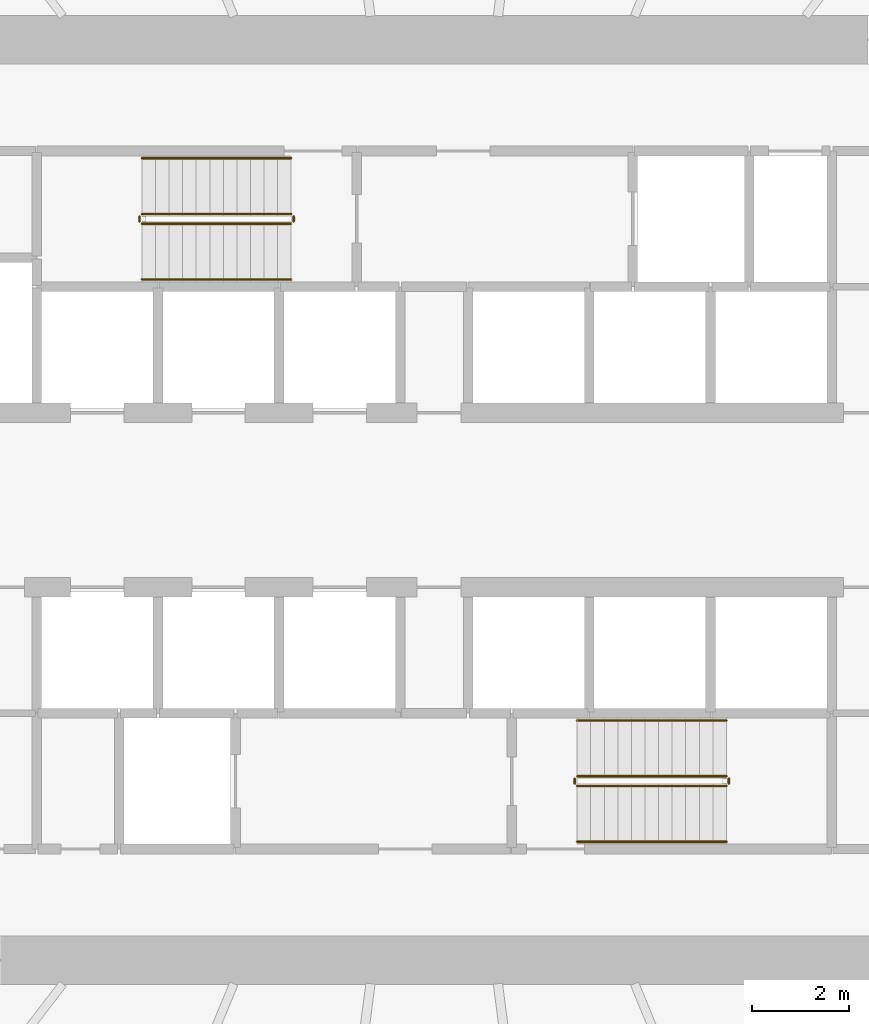
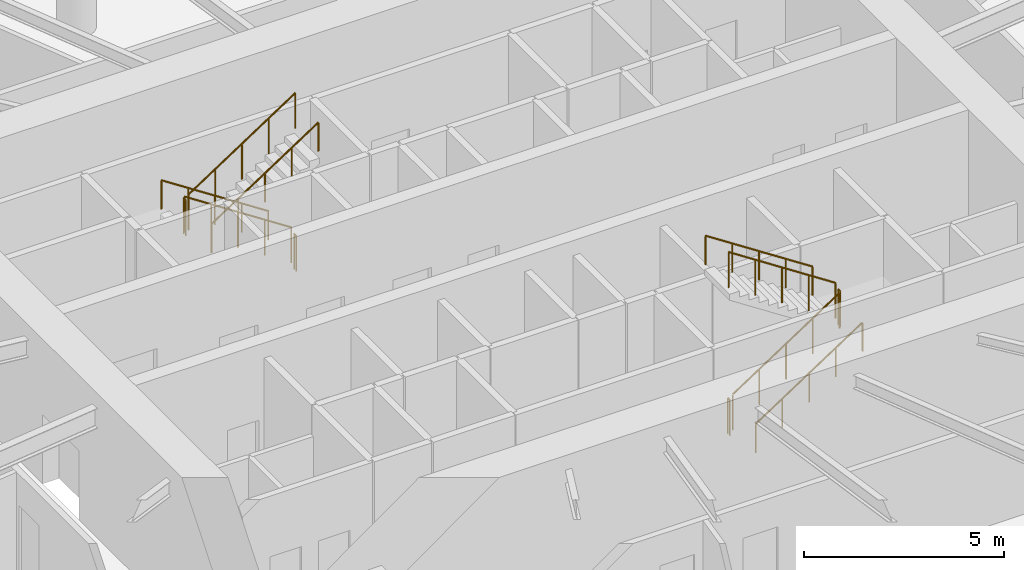
# One storey, part 17 of 18: 12 railings.
"""IFC4 building model written with IfcOpenShell, lengths in metres."""

from ifc_helpers import new_model, si_unit, direction, frame, origin, origin_2d, place, context, subcontext, project, spatial, circle, extrude, material, type_object, element, save


model = new_model("IFC4")

# Units and contexts
model_context = context("Model", 3, precision=1e-05, world=origin(), true_north=direction((0.0, 1.0)))
body_context = subcontext(model_context, "Body", "Model", "MODEL_VIEW")
ifc_project = project(units=[si_unit("LENGTHUNIT", "METRE"), si_unit("AREAUNIT", "SQUARE_METRE"), si_unit("VOLUMEUNIT", "CUBIC_METRE"), si_unit("PLANEANGLEUNIT", "RADIAN"), si_unit("MASSUNIT", "GRAM", prefix="KILO")], contexts=[model_context])

# Site, building, storey
site_placement = place(None, origin())
site = spatial("IfcSite", under=ifc_project, at=site_placement, CompositionType="ELEMENT")
building_placement = place(site_placement, origin())
building = spatial("IfcBuilding", under=site, at=building_placement, Name="Spindrift Exchange Tower", CompositionType="ELEMENT")
storey_placement = place(building_placement, frame((0.0, 0.0, 40.199951171875)))
storey = spatial("IfcBuildingStorey", under=building, at=storey_placement, Name="L09", CompositionType="ELEMENT", Elevation=40.199951171875)

# Railings
ifc_material_1 = material(Name="Steel balustrade", Category="steel")
railing_type_1 = type_object("IfcRailingType", Name="RL-STAIR-GUARD", PredefinedType="GUARDRAIL", material=ifc_material_1)
railing_1_placement = place(storey_placement, frame((49.050048828125, 53.89990234375, 0.183349609375)))
element("IfcRailing", 1, at=railing_1_placement, inside=storey, type_object=railing_type_1, Name="L09 ST1 stair guard 1", PredefinedType="GUARDRAIL", context=body_context, shape_type="SweptSolid", body=[
    extrude(circle(Radius=0.02392578125, at=origin_2d()), frame((0.0, 0.0, 1.076171875), z_axis=(-0.836633000464, 0.0, 0.547763838287), x_axis=(0.0, -1.0, 0.0)), (0.0, 0.0, 1.0), 3.681396484375),
    extrude(circle(Radius=0.02099609375, at=origin_2d()), origin(), (0.0, 0.0, 1.0), 1.052001953125),
    extrude(circle(Radius=0.02099609375, at=origin_2d()), frame((-0.77001953125, 0.0, 0.504150390625)), (0.0, 0.0, 1.0), 1.052001953125),
    extrude(circle(Radius=0.02099609375, at=origin_2d()), frame((-1.5400390625, 0.0, 1.00830078125)), (0.0, 0.0, 1.0), 1.052001953125),
    extrude(circle(Radius=0.02099609375, at=origin_2d()), frame((-2.31005859375, 0.0, 1.512451171875)), (0.0, 0.0, 1.0), 1.052001953125),
    extrude(circle(Radius=0.02099609375, at=origin_2d()), frame((-3.080078125, 0.0, 2.0166015625)), (0.0, 0.0, 1.0), 1.052001953125),
])
railing_2_placement = place(storey_placement, frame((45.919921875, 53.85009765625, 2.199951171875)))
element("IfcRailing", 2, at=railing_2_placement, inside=storey, type_object=railing_type_1, Name="L09 ST1 stair guard 2", PredefinedType="GUARDRAIL", context=body_context, shape_type="SweptSolid", body=[
    extrude(circle(Radius=0.02392578125, at=origin_2d()), frame((0.0, 0.0, 1.076171875), z_axis=(0.0, -1.0, 0.0), x_axis=(1.0, 0.0, 0.0)), (0.0, 0.0, 1.0), 0.10009765625),
    extrude(circle(Radius=0.02099609375, at=origin_2d()), origin(), (0.0, 0.0, 1.0), 1.052001953125),
    extrude(circle(Radius=0.02099609375, at=origin_2d()), frame((0.0, -0.10009765625, 0.0)), (0.0, 0.0, 1.0), 1.052001953125),
])
railing_3_placement = place(storey_placement, frame((45.969970703125, 53.699951171875, 2.38330078125)))
element("IfcRailing", 3, at=railing_3_placement, inside=storey, type_object=railing_type_1, Name="L09 ST1 stair guard 3", PredefinedType="GUARDRAIL", context=body_context, shape_type="SweptSolid", body=[
    extrude(circle(Radius=0.02392578125, at=origin_2d()), frame((0.0, 0.0, 1.076171875), z_axis=(0.836602609513, 0.0, 0.547810253423), x_axis=(0.0, 1.0, 0.0)), (0.0, 0.0, 1.0), 3.681640625),
    extrude(circle(Radius=0.02099609375, at=origin_2d()), origin(), (0.0, 0.0, 1.0), 1.052001953125),
    extrude(circle(Radius=0.02099609375, at=origin_2d()), frame((0.77001953125, 0.0, 0.504150390625)), (0.0, 0.0, 1.0), 1.052001953125),
    extrude(circle(Radius=0.02099609375, at=origin_2d()), frame((1.5400390625, 0.0, 1.00830078125)), (0.0, 0.0, 1.0), 1.052001953125),
    extrude(circle(Radius=0.02099609375, at=origin_2d()), frame((2.31005859375, 0.0, 1.5126953125)), (0.0, 0.0, 1.0), 1.052001953125),
    extrude(circle(Radius=0.02099609375, at=origin_2d()), frame((3.080078125, 0.0, 2.016845703125)), (0.0, 0.0, 1.0), 1.052001953125),
])
railing_4_placement = place(storey_placement, frame((49.10009765625, 53.85009765625, 0.0)))
element("IfcRailing", 4, at=railing_4_placement, inside=storey, type_object=railing_type_1, Name="L09 ST1 stair guard 4", PredefinedType="GUARDRAIL", context=body_context, shape_type="SweptSolid", body=[
    extrude(circle(Radius=0.02392578125, at=origin_2d()), frame((0.0, 0.0, 1.076171875), z_axis=(0.0, -1.0, 0.0), x_axis=(1.0, 0.0, 0.0)), (0.0, 0.0, 1.0), 0.10009765625),
    extrude(circle(Radius=0.02099609375, at=origin_2d()), origin(), (0.0, 0.0, 1.0), 1.052001953125),
    extrude(circle(Radius=0.02099609375, at=origin_2d()), frame((0.0, -0.10009765625, 0.0)), (0.0, 0.0, 1.0), 1.052001953125),
])
railing_5_placement = place(storey_placement, frame((54.949951171875, 42.10009765625, 0.183349609375)))
element("IfcRailing", 5, at=railing_5_placement, inside=storey, type_object=railing_type_1, Name="L09 ST2 stair guard 1", PredefinedType="GUARDRAIL", context=body_context, shape_type="SweptSolid", body=[
    extrude(circle(Radius=0.02392578125, at=origin_2d()), frame((0.0, 0.0, 1.076171875), z_axis=(0.836633000464, 0.0, 0.547763838287), x_axis=(0.0, 1.0, 0.0)), (0.0, 0.0, 1.0), 3.681396484375),
    extrude(circle(Radius=0.02099609375, at=origin_2d()), origin(), (0.0, 0.0, 1.0), 1.052001953125),
    extrude(circle(Radius=0.02099609375, at=origin_2d()), frame((0.77001953125, 0.0, 0.504150390625)), (0.0, 0.0, 1.0), 1.052001953125),
    extrude(circle(Radius=0.02099609375, at=origin_2d()), frame((1.5400390625, 0.0, 1.00830078125)), (0.0, 0.0, 1.0), 1.052001953125),
    extrude(circle(Radius=0.02099609375, at=origin_2d()), frame((2.31005859375, 0.0, 1.512451171875)), (0.0, 0.0, 1.0), 1.052001953125),
    extrude(circle(Radius=0.02099609375, at=origin_2d()), frame((3.080078125, 0.0, 2.0166015625)), (0.0, 0.0, 1.0), 1.052001953125),
])
railing_6_placement = place(storey_placement, frame((58.080078125, 42.14990234375, 2.199951171875)))
element("IfcRailing", 6, at=railing_6_placement, inside=storey, type_object=railing_type_1, Name="L09 ST2 stair guard 2", PredefinedType="GUARDRAIL", context=body_context, shape_type="SweptSolid", body=[
    extrude(circle(Radius=0.02392578125, at=origin_2d()), frame((0.0, 0.0, 1.076171875), z_axis=(0.0, 1.0, 0.0), x_axis=(-1.0, 0.0, 0.0)), (0.0, 0.0, 1.0), 0.10009765625),
    extrude(circle(Radius=0.02099609375, at=origin_2d()), origin(), (0.0, 0.0, 1.0), 1.052001953125),
    extrude(circle(Radius=0.02099609375, at=origin_2d()), frame((0.0, 0.10009765625, 0.0)), (0.0, 0.0, 1.0), 1.052001953125),
])
railing_7_placement = place(storey_placement, frame((58.030029296875, 42.300048828125, 2.38330078125)))
element("IfcRailing", 7, at=railing_7_placement, inside=storey, type_object=railing_type_1, Name="L09 ST2 stair guard 3", PredefinedType="GUARDRAIL", context=body_context, shape_type="SweptSolid", body=[
    extrude(circle(Radius=0.02392578125, at=origin_2d()), frame((0.0, 0.0, 1.076171875), z_axis=(-0.836602609513, 0.0, 0.547810253423), x_axis=(0.0, -1.0, 0.0)), (0.0, 0.0, 1.0), 3.681640625),
    extrude(circle(Radius=0.02099609375, at=origin_2d()), origin(), (0.0, 0.0, 1.0), 1.052001953125),
    extrude(circle(Radius=0.02099609375, at=origin_2d()), frame((-0.77001953125, 0.0, 0.504150390625)), (0.0, 0.0, 1.0), 1.052001953125),
    extrude(circle(Radius=0.02099609375, at=origin_2d()), frame((-1.5400390625, 0.0, 1.00830078125)), (0.0, 0.0, 1.0), 1.052001953125),
    extrude(circle(Radius=0.02099609375, at=origin_2d()), frame((-2.31005859375, 0.0, 1.5126953125)), (0.0, 0.0, 1.0), 1.052001953125),
    extrude(circle(Radius=0.02099609375, at=origin_2d()), frame((-3.080078125, 0.0, 2.016845703125)), (0.0, 0.0, 1.0), 1.052001953125),
])
railing_8_placement = place(storey_placement, frame((54.89990234375, 42.14990234375, 0.0)))
element("IfcRailing", 8, at=railing_8_placement, inside=storey, type_object=railing_type_1, Name="L09 ST2 stair guard 4", PredefinedType="GUARDRAIL", context=body_context, shape_type="SweptSolid", body=[
    extrude(circle(Radius=0.02392578125, at=origin_2d()), frame((0.0, 0.0, 1.076171875), z_axis=(0.0, 1.0, 0.0), x_axis=(-1.0, 0.0, 0.0)), (0.0, 0.0, 1.0), 0.10009765625),
    extrude(circle(Radius=0.02099609375, at=origin_2d()), origin(), (0.0, 0.0, 1.0), 1.052001953125),
    extrude(circle(Radius=0.02099609375, at=origin_2d()), frame((0.0, 0.10009765625, 0.0)), (0.0, 0.0, 1.0), 1.052001953125),
])
ifc_material_2 = material(Name="Steel tubular handrail", Category="steel")
railing_type_2 = type_object("IfcRailingType", Name="RL-STAIR-HAND", PredefinedType="HANDRAIL", material=ifc_material_2)
railing_9_placement = place(storey_placement, frame((49.050048828125, 55.050048828125, 0.183349609375)))
element("IfcRailing", 9, at=railing_9_placement, inside=storey, type_object=railing_type_2, Name="L09 ST1 stair handrail 1", PredefinedType="HANDRAIL", context=body_context, shape_type="SweptSolid", body=[
    extrude(circle(Radius=0.02392578125, at=origin_2d()), frame((0.0, 0.0, 0.8759765625), z_axis=(-0.836633000464, 0.0, 0.547763838287), x_axis=(0.0, -1.0, 0.0)), (0.0, 0.0, 1.0), 3.681396484375),
    extrude(circle(Radius=0.02099609375, at=origin_2d()), origin(), (0.0, 0.0, 1.0), 0.851806640625),
    extrude(circle(Radius=0.02099609375, at=origin_2d()), frame((-0.77001953125, 0.0, 0.504150390625)), (0.0, 0.0, 1.0), 0.851806640625),
    extrude(circle(Radius=0.02099609375, at=origin_2d()), frame((-1.5400390625, 0.0, 1.00830078125)), (0.0, 0.0, 1.0), 0.851806640625),
    extrude(circle(Radius=0.02099609375, at=origin_2d()), frame((-2.31005859375, 0.0, 1.512451171875)), (0.0, 0.0, 1.0), 0.851806640625),
    extrude(circle(Radius=0.02099609375, at=origin_2d()), frame((-3.080078125, 0.0, 2.0166015625)), (0.0, 0.0, 1.0), 0.851806640625),
])
railing_10_placement = place(storey_placement, frame((45.969970703125, 52.550048828125, 2.38330078125)))
element("IfcRailing", 10, at=railing_10_placement, inside=storey, type_object=railing_type_2, Name="L09 ST1 stair handrail 2", PredefinedType="HANDRAIL", context=body_context, shape_type="SweptSolid", body=[
    extrude(circle(Radius=0.02392578125, at=origin_2d()), frame((0.0, 0.0, 0.8759765625), z_axis=(0.836602609513, 0.0, 0.547810253423), x_axis=(0.0, 1.0, 0.0)), (0.0, 0.0, 1.0), 3.681640625),
    extrude(circle(Radius=0.02099609375, at=origin_2d()), origin(), (0.0, 0.0, 1.0), 0.851806640625),
    extrude(circle(Radius=0.02099609375, at=origin_2d()), frame((0.77001953125, 0.0, 0.504150390625)), (0.0, 0.0, 1.0), 0.851806640625),
    extrude(circle(Radius=0.02099609375, at=origin_2d()), frame((1.5400390625, 0.0, 1.00830078125)), (0.0, 0.0, 1.0), 0.851806640625),
    extrude(circle(Radius=0.02099609375, at=origin_2d()), frame((2.31005859375, 0.0, 1.5126953125)), (0.0, 0.0, 1.0), 0.851806640625),
    extrude(circle(Radius=0.02099609375, at=origin_2d()), frame((3.080078125, 0.0, 2.016845703125)), (0.0, 0.0, 1.0), 0.851806640625),
])
railing_11_placement = place(storey_placement, frame((54.949951171875, 40.949951171875, 0.183349609375)))
element("IfcRailing", 11, at=railing_11_placement, inside=storey, type_object=railing_type_2, Name="L09 ST2 stair handrail 1", PredefinedType="HANDRAIL", context=body_context, shape_type="SweptSolid", body=[
    extrude(circle(Radius=0.02392578125, at=origin_2d()), frame((0.0, 0.0, 0.8759765625), z_axis=(0.836633000464, 0.0, 0.547763838287), x_axis=(0.0, 1.0, 0.0)), (0.0, 0.0, 1.0), 3.681396484375),
    extrude(circle(Radius=0.02099609375, at=origin_2d()), origin(), (0.0, 0.0, 1.0), 0.851806640625),
    extrude(circle(Radius=0.02099609375, at=origin_2d()), frame((0.77001953125, 0.0, 0.504150390625)), (0.0, 0.0, 1.0), 0.851806640625),
    extrude(circle(Radius=0.02099609375, at=origin_2d()), frame((1.5400390625, 0.0, 1.00830078125)), (0.0, 0.0, 1.0), 0.851806640625),
    extrude(circle(Radius=0.02099609375, at=origin_2d()), frame((2.31005859375, 0.0, 1.512451171875)), (0.0, 0.0, 1.0), 0.851806640625),
    extrude(circle(Radius=0.02099609375, at=origin_2d()), frame((3.080078125, 0.0, 2.0166015625)), (0.0, 0.0, 1.0), 0.851806640625),
])
railing_12_placement = place(storey_placement, frame((58.030029296875, 43.449951171875, 2.38330078125)))
element("IfcRailing", 12, at=railing_12_placement, inside=storey, type_object=railing_type_2, Name="L09 ST2 stair handrail 2", PredefinedType="HANDRAIL", context=body_context, shape_type="SweptSolid", body=[
    extrude(circle(Radius=0.02392578125, at=origin_2d()), frame((0.0, 0.0, 0.8759765625), z_axis=(-0.836602609513, 0.0, 0.547810253423), x_axis=(0.0, -1.0, 0.0)), (0.0, 0.0, 1.0), 3.681640625),
    extrude(circle(Radius=0.02099609375, at=origin_2d()), origin(), (0.0, 0.0, 1.0), 0.851806640625),
    extrude(circle(Radius=0.02099609375, at=origin_2d()), frame((-0.77001953125, 0.0, 0.504150390625)), (0.0, 0.0, 1.0), 0.851806640625),
    extrude(circle(Radius=0.02099609375, at=origin_2d()), frame((-1.5400390625, 0.0, 1.00830078125)), (0.0, 0.0, 1.0), 0.851806640625),
    extrude(circle(Radius=0.02099609375, at=origin_2d()), frame((-2.31005859375, 0.0, 1.5126953125)), (0.0, 0.0, 1.0), 0.851806640625),
    extrude(circle(Radius=0.02099609375, at=origin_2d()), frame((-3.080078125, 0.0, 2.016845703125)), (0.0, 0.0, 1.0), 0.851806640625),
])

save(model, "model.ifc")
